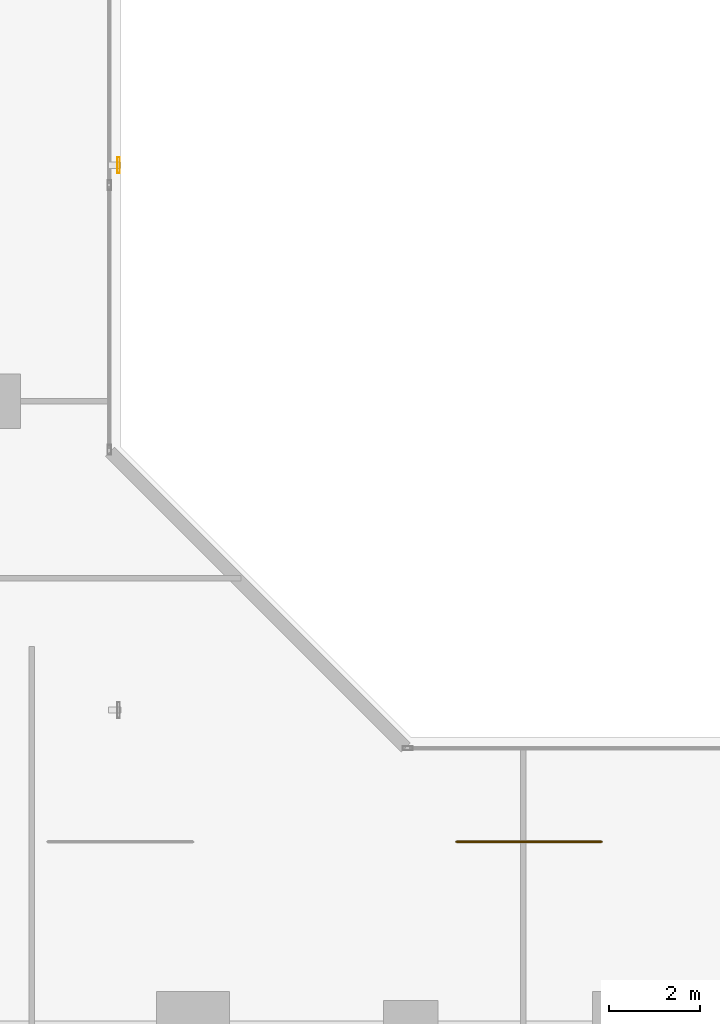
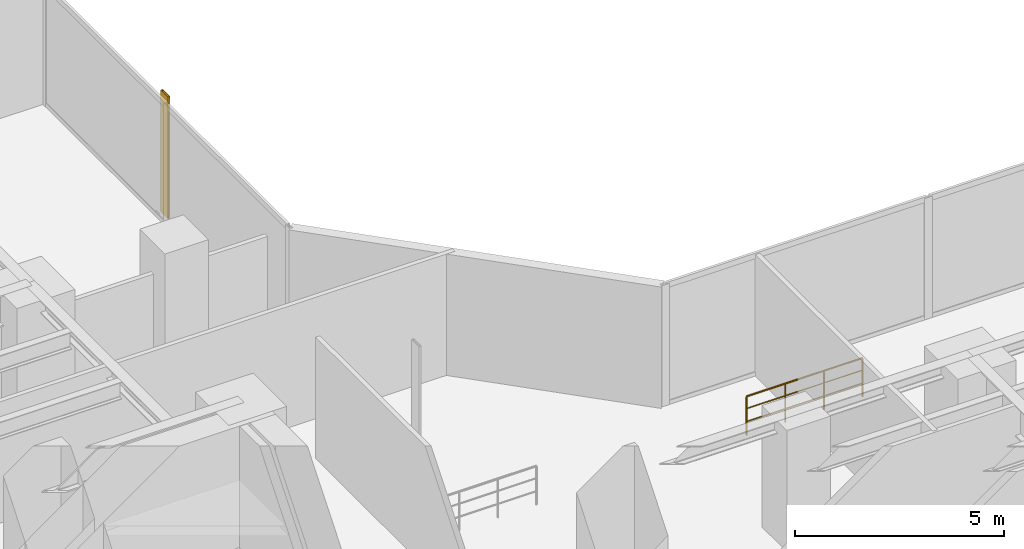
# One storey, part 29 of 29: 1 railing, 1 shading device.
"""IFC4 building model written with IfcOpenShell, lengths in metres."""

from ifc_helpers import new_model, si_unit, direction, frame, origin, origin_2d, place, context, subcontext, project, spatial, hollow_rectangle, circle, extrude, material, material_profile, profile_set, type_object, element, save


model = new_model("IFC4")

# Units and contexts
model_context = context("Model", 3, precision=1e-05, world=origin(), true_north=direction((0.0, 1.0)))
body_context = subcontext(model_context, "Body", "Model", "MODEL_VIEW")
ifc_project = project(units=[si_unit("LENGTHUNIT", "METRE"), si_unit("AREAUNIT", "SQUARE_METRE"), si_unit("VOLUMEUNIT", "CUBIC_METRE"), si_unit("PLANEANGLEUNIT", "RADIAN"), si_unit("MASSUNIT", "GRAM", prefix="KILO")], contexts=[model_context])

# Site, building, storey
site_placement = place(None, origin())
site = spatial("IfcSite", under=ifc_project, at=site_placement, CompositionType="ELEMENT")
building_placement = place(site_placement, origin())
building = spatial("IfcBuilding", under=site, at=building_placement, Name="Kolvaren Waterfront Exchange", CompositionType="ELEMENT")
storey_placement = place(building_placement, frame((0.0, 0.0, 29.60009765625)))
storey = spatial("IfcBuildingStorey", under=building, at=storey_placement, Name="L07", CompositionType="ELEMENT", Elevation=29.60009765625)

# Railing
ifc_material_1 = material(Name="Anodised bronze aluminium and laminated glass", Category="aluminium")
railing_type = type_object("IfcRailingType", Name="ARC-BALUSTRADE-1150", PredefinedType="BALUSTRADE", material=ifc_material_1)
railing_placement = place(storey_placement, frame((33.0, 21.5, 0.0)))
element("IfcRailing", 1, at=railing_placement, inside=storey, type_object=railing_type, Name="L07 gallery balustrade 2", PredefinedType="BALUSTRADE", context=body_context, shape_type="SweptSolid", body=[
    extrude(circle(Radius=0.02392578125, at=origin_2d()), frame((0.0, 0.0, 1.1259765625), z_axis=(1.0, 0.0, 0.0), x_axis=(0.0, 1.0, 0.0)), (0.0, 0.0, 1.0), 3.199951171875),
    extrude(circle(Radius=0.01611328125, at=origin_2d()), frame((0.0, 0.0, 0.390869140625), z_axis=(1.0, 0.0, 0.0), x_axis=(0.0, 1.0, 0.0)), (0.0, 0.0, 1.0), 3.199951171875),
    extrude(circle(Radius=0.01611328125, at=origin_2d()), frame((0.0, 0.0, 0.7705078125), z_axis=(1.0, 0.0, 0.0), x_axis=(0.0, 1.0, 0.0)), (0.0, 0.0, 1.0), 3.199951171875),
    extrude(circle(Radius=0.02099609375, at=origin_2d()), origin(), (0.0, 0.0, 1.0), 1.101806640625),
    extrude(circle(Radius=0.02099609375, at=origin_2d()), frame((1.066650390625, 0.0, 0.0)), (0.0, 0.0, 1.0), 1.101806640625),
    extrude(circle(Radius=0.02099609375, at=origin_2d()), frame((2.13330078125, 0.0, 0.0)), (0.0, 0.0, 1.0), 1.101806640625),
    extrude(circle(Radius=0.02099609375, at=origin_2d()), frame((3.199951171875, 0.0, 0.0)), (0.0, 0.0, 1.0), 1.101806640625),
])

# Shading device
ifc_material_2 = material(Name="Anodised bronze aluminium 6063-T6", Category="aluminium")
ifc_material_profile = material_profile(ifc_material_2, hollow_rectangle(XDim=0.06005859375, YDim=0.35009765625, WallThickness=0.0048828125, at=origin_2d()), Name="BRZ-FIN-350x60x5")
ifc_profile_set = profile_set([ifc_material_profile], Name="Anodised bronze aluminium 6063-T6")
shading_device_type = type_object("IfcShadingDeviceType", Name="ARC-FIN-350", PredefinedType="USERDEFINED", material=ifc_profile_set)
shading_device_placement = place(storey_placement, frame((25.56005859375, 36.39990234375, 0.0), z_axis=(0.0, 0.0, 1.0), x_axis=(1.0, 0.0, 0.0)))
element("IfcShadingDevice", 2, at=shading_device_placement, inside=storey, type_object=shading_device_type, Name="L07 anodised bronze solar shading fin FIN-L07-E3", ObjectType="SOLAR FIN", PredefinedType="USERDEFINED", context=body_context, shape_type="SweptSolid", body=[
    extrude(hollow_rectangle(XDim=0.06005859375, YDim=0.35009765625, WallThickness=0.0048828125, at=origin_2d()), origin(), (0.0, 0.0, 1.0), 3.539794921875),
])

save(model, "model.ifc")
